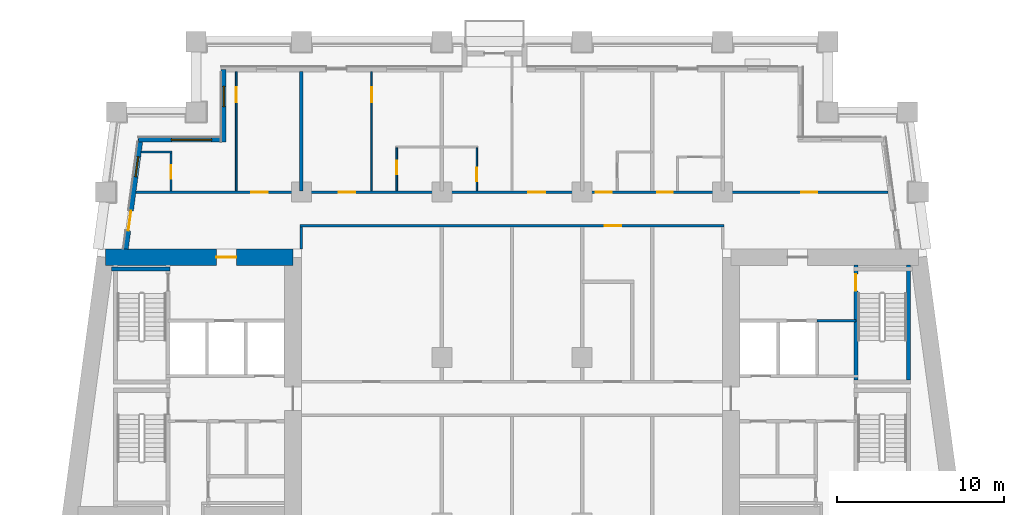
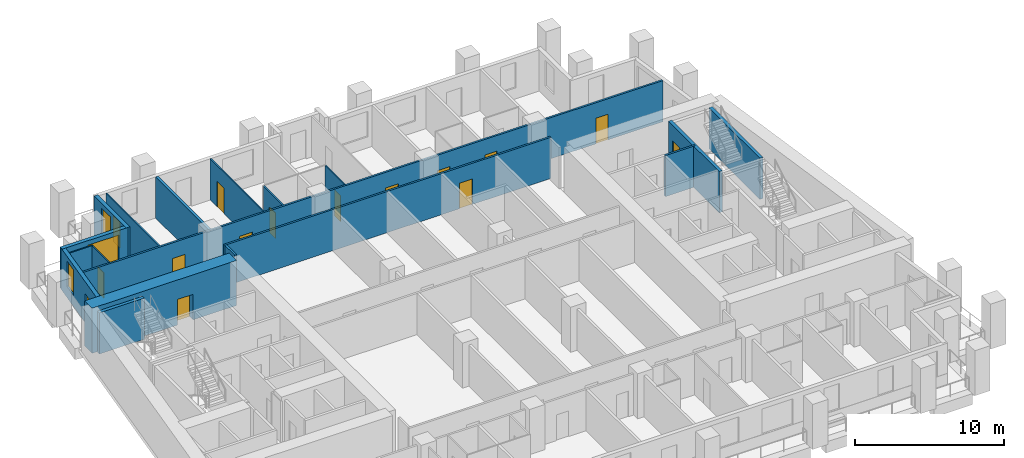
# One storey, part 6 of 13: 18 walls, 15 doors, 3 windows, 18 openings.
"""IFC4 building model written with IfcOpenShell, lengths in metres."""

from ifc_helpers import new_model, si_unit, direction, frame, frame_2d, origin, place, context, subcontext, project, spatial, rectangle, extrude, material, layer, layer_set, type_object, element, fill, save


model = new_model("IFC4")

# Units and contexts
model_context = context("Model", 3, precision=1e-05, world=origin(), true_north=direction((0.0, 1.0)))
body_context = subcontext(model_context, "Body", "Model", "MODEL_VIEW")
ifc_project = project(units=[si_unit("LENGTHUNIT", "METRE"), si_unit("AREAUNIT", "SQUARE_METRE"), si_unit("VOLUMEUNIT", "CUBIC_METRE"), si_unit("PLANEANGLEUNIT", "RADIAN"), si_unit("MASSUNIT", "GRAM", prefix="KILO")], contexts=[model_context])

# Site, building, storey
site_placement = place(None, origin())
site = spatial("IfcSite", under=ifc_project, at=site_placement, CompositionType="ELEMENT")
building_placement = place(site_placement, origin())
building = spatial("IfcBuilding", under=site, at=building_placement, Name="Candeia Pilgrim Tower and Theatre", CompositionType="ELEMENT")
storey_placement = place(building_placement, frame((0.0, 0.0, 113.199951171875)))
storey = spatial("IfcBuildingStorey", under=building, at=storey_placement, Name="L26", CompositionType="ELEMENT", Elevation=113.199951171875)

# Wall, opening, door
ifc_material_1 = material(Name="Concrete C70/85", Category="concrete")
ifc_layer_1 = layer(ifc_material_1, 1.0)
ifc_layer_set_1 = layer_set([ifc_layer_1], Name="Core wall 1000 C70/85")
wall_type_1 = type_object("IfcWallType", Name="Core wall 1000 C70/85", PredefinedType="SHEAR", material=ifc_layer_set_1)
wall_1_placement = place(storey_placement, frame((89.06787109375, 131.89990234375, 0.0), z_axis=(0.0, 0.0, 1.0), x_axis=(1.0, 0.0, 0.0)))
wall_1 = element("IfcWall", 1, at=wall_1_placement, inside=storey, type_object=wall_type_1, Name="Core wall W1", PredefinedType="SHEAR", context=body_context, shape_type="SweptSolid", body=[
    extrude(rectangle(XDim=11.232177734375, YDim=1.0, at=frame_2d((5.6162109375, 0.0))), origin(), (0.0, 0.0, 1.0), 3.699951171875),
])
opening_1_placement = place(wall_1_placement, frame((6.6455078125, 0.0, 0.0)))
opening_1 = element("IfcOpeningElement", 2, at=opening_1_placement, cuts=wall_1, Name="Opening L26-D060", PredefinedType="OPENING", context=body_context, shape_type="SweptSolid", body=[
    extrude(rectangle(XDim=1.199951171875, YDim=2.10009765625, at=frame_2d((0.60009765625, 1.050048828125))), frame((0.0, 0.510009765625, 0.0), z_axis=(0.0, -1.0, 0.0), x_axis=(1.0, 0.0, 0.0)), (0.0, 0.0, 1.0), 1.02001953125),
])
ifc_material_2 = material(Name="Steel fire door set", Category="steel")
door_type_1 = type_object("IfcDoorType", Name="D-1200-FD60", OperationType="NOTDEFINED", PredefinedType="DOOR", material=ifc_material_2)
door_1_placement = place(opening_1_placement, origin())
door_1 = element("IfcDoor", 3, at=door_1_placement, inside=storey, type_object=door_type_1, Name="Door L26-D060", OperationType="SINGLE_SWING_RIGHT", OverallHeight=2.10009765625, OverallWidth=1.199951171875, PredefinedType="DOOR", context=body_context, shape_type="SweptSolid", body=[
    extrude(rectangle(XDim=1.199951171875, YDim=2.10009765625, at=frame_2d((0.60009765625, 1.050048828125))), frame((0.0, 0.02490234375, 0.0), z_axis=(0.0, -1.0, 0.0), x_axis=(1.0, 0.0, 0.0)), (0.0, 0.0, 1.0), 0.050048828125),
])
fill(opening_1, door_1)

# Wall, opening, window
ifc_material_3 = material(Name="Ceramic block masonry", Category="masonry")
ifc_layer_2 = layer(ifc_material_3, 0.300048828125)
ifc_layer_set_2 = layer_set([ifc_layer_2], Name="EW1 glazing-line wall 300")
wall_type_2 = type_object("IfcWallType", Name="EW1 glazing-line wall 300", PredefinedType="SOLIDWALL", material=ifc_layer_set_2)
wall_2_placement = place(storey_placement, frame((96.14990234375, 143.14990234375, 0.0), z_axis=(0.0, 0.0, 1.0), x_axis=(0.0, -1.0, 0.0)))
wall_2 = element("IfcWall", 4, at=wall_2_placement, inside=storey, type_object=wall_type_2, Name="External wall L26-7.0", PredefinedType="SOLIDWALL", context=body_context, shape_type="SweptSolid", body=[
    extrude(rectangle(XDim=4.349853515625, YDim=0.300048828125, at=frame_2d((2.1748046875, 0.0))), origin(), (0.0, 0.0, 1.0), 3.380126953125),
])
opening_2_placement = place(wall_2_placement, frame((1.02490234375, 0.0, 0.89990234375)))
opening_2 = element("IfcOpeningElement", 5, at=opening_2_placement, cuts=wall_2, Name="Opening W-B", PredefinedType="OPENING", context=body_context, shape_type="SweptSolid", body=[
    extrude(rectangle(XDim=1.199951171875, YDim=2.10009765625, at=frame_2d((0.60009765625, 1.050048828125))), frame((0.0, 0.16015625, 0.0), z_axis=(0.0, -1.0, 0.0), x_axis=(1.0, 0.0, 0.0)), (0.0, 0.0, 1.0), 0.320068359375),
])
ifc_material_4 = material(Name="Aluminium framed double glazing", Category="aluminium")
window_type_1 = type_object("IfcWindowType", Name="W-B window 1200x2100", PartitioningType="SINGLE_PANEL", PredefinedType="WINDOW", material=ifc_material_4)
window_1_placement = place(opening_2_placement, origin())
window_1 = element("IfcWindow", 6, at=window_1_placement, inside=storey, type_object=window_type_1, Name="Window W-B L26", OverallHeight=2.10009765625, OverallWidth=1.199951171875, PartitioningType="SINGLE_PANEL", PredefinedType="WINDOW", context=body_context, shape_type="SweptSolid", body=[
    extrude(rectangle(XDim=1.199951171875, YDim=2.10009765625, at=frame_2d((0.60009765625, 1.050048828125))), frame((0.0, 0.030029296875, 0.0), z_axis=(0.0, -1.0, 0.0), x_axis=(1.0, 0.0, 0.0)), (0.0, 0.0, 1.0), 0.06005859375),
])
fill(opening_2, window_1)

wall_3_placement = place(storey_placement, frame((96.14990234375, 138.949951171875, 0.0), z_axis=(0.0, 0.0, 1.0), x_axis=(-1.0, 0.0, 0.0)))
wall_3 = element("IfcWall", 7, at=wall_3_placement, inside=storey, type_object=wall_type_2, Name="External wall L26-8.0", PredefinedType="SOLIDWALL", context=body_context, shape_type="SweptSolid", body=[
    extrude(rectangle(XDim=5.103759765625, YDim=0.300048828125, at=frame_2d((2.5517578125, 0.0))), origin(), (0.0, 0.0, 1.0), 3.380126953125),
])
opening_3_placement = place(wall_3_placement, frame((0.72509765625, 0.0, 0.89990234375)))
opening_3 = element("IfcOpeningElement", 8, at=opening_3_placement, cuts=wall_3, Name="Opening W-A", PredefinedType="OPENING", context=body_context, shape_type="SweptSolid", body=[
    extrude(rectangle(XDim=2.39990234375, YDim=2.10009765625, at=frame_2d((1.199951171875, 1.050048828125))), frame((0.0, 0.16015625, 0.0), z_axis=(0.0, -1.0, 0.0), x_axis=(1.0, 0.0, 0.0)), (0.0, 0.0, 1.0), 0.320068359375),
])
window_type_2 = type_object("IfcWindowType", Name="W-A window 2400x2100", PartitioningType="DOUBLE_PANEL_VERTICAL", PredefinedType="WINDOW", material=ifc_material_4)
window_2_placement = place(opening_3_placement, origin())
window_2 = element("IfcWindow", 9, at=window_2_placement, inside=storey, type_object=window_type_2, Name="Window W-A L26", OverallHeight=2.10009765625, OverallWidth=2.39990234375, PartitioningType="SINGLE_PANEL", PredefinedType="WINDOW", context=body_context, shape_type="SweptSolid", body=[
    extrude(rectangle(XDim=2.39990234375, YDim=2.10009765625, at=frame_2d((1.199951171875, 1.050048828125))), frame((0.0, 0.030029296875, 0.0), z_axis=(0.0, -1.0, 0.0), x_axis=(1.0, 0.0, 0.0)), (0.0, 0.0, 1.0), 0.06005859375),
])
fill(opening_3, window_2)

# Wall, openings, door, window
wall_4_placement = place(storey_placement, frame((91.177490234375, 138.949951171875, 0.0), z_axis=(0.0, 0.0, 1.0), x_axis=(-0.133426664613, -0.991058689065, 0.0)))
wall_4 = element("IfcWall", 10, at=wall_4_placement, inside=storey, type_object=wall_type_2, Name="External wall L26-9.0", PredefinedType="SOLIDWALL", context=body_context, shape_type="SweptSolid", body=[
    extrude(rectangle(XDim=6.609130859375, YDim=0.300048828125, at=frame_2d((3.3046875, 0.0))), origin(), (0.0, 0.0, 1.0), 3.380126953125),
])
opening_4_placement = place(wall_4_placement, frame((1.039306640625, 0.0, 0.89990234375)))
opening_4 = element("IfcOpeningElement", 11, at=opening_4_placement, cuts=wall_4, Name="Opening W-B", PredefinedType="OPENING", context=body_context, shape_type="SweptSolid", body=[
    extrude(rectangle(XDim=1.199951171875, YDim=2.10009765625, at=frame_2d((0.60009765625, 1.050048828125))), frame((0.0, 0.16015625, 0.0), z_axis=(0.0, -1.0, 0.0), x_axis=(1.0, 0.0, 0.0)), (0.0, 0.0, 1.0), 0.320068359375),
])
opening_5_placement = place(wall_4_placement, frame((4.293701171875, 0.0, 0.0)))
opening_5 = element("IfcOpeningElement", 12, at=opening_5_placement, cuts=wall_4, Name="Opening L26-ED269", PredefinedType="OPENING", context=body_context, shape_type="SweptSolid", body=[
    extrude(rectangle(XDim=1.199951171875, YDim=2.39990234375, at=frame_2d((0.60009765625, 1.199951171875))), frame((0.0, 0.16015625, 0.0), z_axis=(0.0, -1.0, 0.0), x_axis=(1.0, 0.0, 0.0)), (0.0, 0.0, 1.0), 0.320068359375),
])
ifc_material_5 = material(Name="Aluminium framed glazed door", Category="aluminium")
door_type_2 = type_object("IfcDoorType", Name="Loggia door 1200x2400", OperationType="DOUBLE_DOOR_SINGLE_SWING", PredefinedType="DOOR", material=ifc_material_5)
door_2_placement = place(opening_5_placement, origin())
door_2 = element("IfcDoor", 13, at=door_2_placement, inside=storey, type_object=door_type_2, Name="Loggia door L26-ED269", OperationType="DOUBLE_DOOR_SINGLE_SWING", OverallHeight=2.39990234375, OverallWidth=1.199951171875, PredefinedType="DOOR", context=body_context, shape_type="SweptSolid", body=[
    extrude(rectangle(XDim=1.199951171875, YDim=2.39990234375, at=frame_2d((0.60009765625, 1.199951171875))), frame((0.0, 0.02490234375, 0.0), z_axis=(0.0, -1.0, 0.0), x_axis=(1.0, 0.0, 0.0)), (0.0, 0.0, 1.0), 0.050048828125),
])
fill(opening_5, door_2)
window_3_placement = place(opening_4_placement, origin())
window_3 = element("IfcWindow", 14, at=window_3_placement, inside=storey, type_object=window_type_1, Name="Window W-B L26", OverallHeight=2.10009765625, OverallWidth=1.199951171875, PartitioningType="SINGLE_PANEL", PredefinedType="WINDOW", context=body_context, shape_type="SweptSolid", body=[
    extrude(rectangle(XDim=1.199951171875, YDim=2.10009765625, at=frame_2d((0.60009765625, 1.050048828125))), frame((0.0, 0.030029296875, 0.0), z_axis=(0.0, -1.0, 0.0), x_axis=(1.0, 0.0, 0.0)), (0.0, 0.0, 1.0), 0.06005859375),
])
fill(opening_4, window_3)

# Wall
ifc_material_6 = material(Name="Gypsum board partition on steel studs", Category="steel")
ifc_layer_3 = layer(ifc_material_6, 0.10009765625)
ifc_layer_set_3 = layer_set([ifc_layer_3], Name="PW-100 room partition")
wall_type_3 = type_object("IfcWallType", Name="PW-100 room partition", PredefinedType="PARTITIONING", material=ifc_layer_set_3)
wall_5_placement = place(storey_placement, frame((91.2177734375, 138.199951171875, 0.0), z_axis=(0.0, 0.0, 1.0), x_axis=(1.0, 0.0, 0.0)))
element("IfcWall", 15, at=wall_5_placement, inside=storey, type_object=wall_type_3, Name="Room partition L26-043", PredefinedType="PARTITIONING", context=body_context, shape_type="SweptSolid", body=[
    extrude(rectangle(XDim=1.832275390625, YDim=0.10009765625, at=frame_2d((0.916015625, 0.0))), origin(), (0.0, 0.0, 1.0), 3.380126953125),
])

# Wall, opening, door
wall_6_placement = place(storey_placement, frame((93.0, 135.875, 0.0), z_axis=(0.0, 0.0, 1.0), x_axis=(0.0, 1.0, 0.0)))
wall_6 = element("IfcWall", 16, at=wall_6_placement, inside=storey, type_object=wall_type_3, Name="Room partition L26-058", PredefinedType="PARTITIONING", context=body_context, shape_type="SweptSolid", body=[
    extrude(rectangle(XDim=2.27490234375, YDim=0.10009765625, at=frame_2d((1.137451171875, 0.0))), origin(), (0.0, 0.0, 1.0), 3.380126953125),
])
opening_6_placement = place(wall_6_placement, frame((0.72509765625, 0.0, 0.0)))
opening_6 = element("IfcOpeningElement", 17, at=opening_6_placement, cuts=wall_6, Name="Opening L26-D036", PredefinedType="OPENING", context=body_context, shape_type="SweptSolid", body=[
    extrude(rectangle(XDim=0.800048828125, YDim=2.10009765625, at=frame_2d((0.39990234375, 1.050048828125))), frame((0.0, 0.06005859375, 0.0), z_axis=(0.0, -1.0, 0.0), x_axis=(1.0, 0.0, 0.0)), (0.0, 0.0, 1.0), 0.1201171875),
])
ifc_material_7 = material(Name="Timber door leaf", Category="wood")
door_type_3 = type_object("IfcDoorType", Name="D-800", OperationType="NOTDEFINED", PredefinedType="DOOR", material=ifc_material_7)
door_3_placement = place(opening_6_placement, origin())
door_3 = element("IfcDoor", 18, at=door_3_placement, inside=storey, type_object=door_type_3, Name="Door L26-D036", OperationType="SINGLE_SWING_RIGHT", OverallHeight=2.10009765625, OverallWidth=0.800048828125, PredefinedType="DOOR", context=body_context, shape_type="SweptSolid", body=[
    extrude(rectangle(XDim=0.800048828125, YDim=2.10009765625, at=frame_2d((0.39990234375, 1.050048828125))), frame((0.0, 0.02490234375, 0.0), z_axis=(0.0, -1.0, 0.0), x_axis=(1.0, 0.0, 0.0)), (0.0, 0.0, 1.0), 0.050048828125),
])
fill(opening_6, door_3)

wall_7_placement = place(storey_placement, frame((96.89990234375, 135.875, 0.0), z_axis=(0.0, 0.0, 1.0), x_axis=(0.0, 1.0, 0.0)))
wall_7 = element("IfcWall", 19, at=wall_7_placement, inside=storey, type_object=wall_type_3, Name="Room partition L26-063", PredefinedType="PARTITIONING", context=body_context, shape_type="SweptSolid", body=[
    extrude(rectangle(XDim=7.135009765625, YDim=0.10009765625, at=frame_2d((3.5673828125, 0.0))), origin(), (0.0, 0.0, 1.0), 3.380126953125),
])
opening_7_placement = place(wall_7_placement, frame((5.2900390625, 0.0, 0.0)))
opening_7 = element("IfcOpeningElement", 20, at=opening_7_placement, cuts=wall_7, Name="Opening L26-D035", PredefinedType="OPENING", context=body_context, shape_type="SweptSolid", body=[
    extrude(rectangle(XDim=0.89990234375, YDim=2.10009765625, at=frame_2d((0.449951171875, 1.050048828125))), frame((0.0, 0.06005859375, 0.0), z_axis=(0.0, -1.0, 0.0), x_axis=(1.0, 0.0, 0.0)), (0.0, 0.0, 1.0), 0.1201171875),
])
door_type_4 = type_object("IfcDoorType", Name="D-900", OperationType="NOTDEFINED", PredefinedType="DOOR", material=ifc_material_7)
door_4_placement = place(opening_7_placement, origin())
door_4 = element("IfcDoor", 21, at=door_4_placement, inside=storey, type_object=door_type_4, Name="Door L26-D035", OperationType="SINGLE_SWING_LEFT", OverallHeight=2.10009765625, OverallWidth=0.89990234375, PredefinedType="DOOR", context=body_context, shape_type="SweptSolid", body=[
    extrude(rectangle(XDim=0.89990234375, YDim=2.10009765625, at=frame_2d((0.449951171875, 1.050048828125))), frame((0.0, 0.02490234375, 0.0), z_axis=(0.0, -1.0, 0.0), x_axis=(1.0, 0.0, 0.0)), (0.0, 0.0, 1.0), 0.050048828125),
])
fill(opening_7, door_4)

wall_8_placement = place(storey_placement, frame((105.0, 135.875, 0.0), z_axis=(0.0, 0.0, 1.0), x_axis=(0.0, 1.0, 0.0)))
wall_8 = element("IfcWall", 22, at=wall_8_placement, inside=storey, type_object=wall_type_3, Name="Room partition L26-072", PredefinedType="PARTITIONING", context=body_context, shape_type="SweptSolid", body=[
    extrude(rectangle(XDim=7.135009765625, YDim=0.10009765625, at=frame_2d((3.5673828125, 0.0))), origin(), (0.0, 0.0, 1.0), 3.380126953125),
])
opening_8_placement = place(wall_8_placement, frame((5.2900390625, 0.0, 0.0)))
opening_8 = element("IfcOpeningElement", 23, at=opening_8_placement, cuts=wall_8, Name="Opening L26-D038", PredefinedType="OPENING", context=body_context, shape_type="SweptSolid", body=[
    extrude(rectangle(XDim=0.89990234375, YDim=2.10009765625, at=frame_2d((0.449951171875, 1.050048828125))), frame((0.0, 0.06005859375, 0.0), z_axis=(0.0, -1.0, 0.0), x_axis=(1.0, 0.0, 0.0)), (0.0, 0.0, 1.0), 0.1201171875),
])
door_5_placement = place(opening_8_placement, origin())
door_5 = element("IfcDoor", 24, at=door_5_placement, inside=storey, type_object=door_type_4, Name="Door L26-D038", OperationType="SINGLE_SWING_RIGHT", OverallHeight=2.10009765625, OverallWidth=0.89990234375, PredefinedType="DOOR", context=body_context, shape_type="SweptSolid", body=[
    extrude(rectangle(XDim=0.89990234375, YDim=2.10009765625, at=frame_2d((0.449951171875, 1.050048828125))), frame((0.0, 0.02490234375, 0.0), z_axis=(0.0, -1.0, 0.0), x_axis=(1.0, 0.0, 0.0)), (0.0, 0.0, 1.0), 0.050048828125),
])
fill(opening_8, door_5)

wall_9_placement = place(storey_placement, frame((106.5, 135.875, 0.0), z_axis=(0.0, 0.0, 1.0), x_axis=(0.0, 1.0, 0.0)))
wall_9 = element("IfcWall", 25, at=wall_9_placement, inside=storey, type_object=wall_type_3, Name="Room partition L26-074", PredefinedType="PARTITIONING", context=body_context, shape_type="SweptSolid", body=[
    extrude(rectangle(XDim=2.574951171875, YDim=0.10009765625, at=frame_2d((1.28759765625, 0.0))), origin(), (0.0, 0.0, 1.0), 3.380126953125),
])
opening_9_placement = place(wall_9_placement, frame((0.9951171875, 0.0, 0.0)))
opening_9 = element("IfcOpeningElement", 26, at=opening_9_placement, cuts=wall_9, Name="Opening L26-D039", PredefinedType="OPENING", context=body_context, shape_type="SweptSolid", body=[
    extrude(rectangle(XDim=0.800048828125, YDim=2.10009765625, at=frame_2d((0.39990234375, 1.050048828125))), frame((0.0, 0.06005859375, 0.0), z_axis=(0.0, -1.0, 0.0), x_axis=(1.0, 0.0, 0.0)), (0.0, 0.0, 1.0), 0.1201171875),
])
door_6_placement = place(opening_9_placement, origin())
door_6 = element("IfcDoor", 27, at=door_6_placement, inside=storey, type_object=door_type_3, Name="Door L26-D039", OperationType="SINGLE_SWING_LEFT", OverallHeight=2.10009765625, OverallWidth=0.800048828125, PredefinedType="DOOR", context=body_context, shape_type="SweptSolid", body=[
    extrude(rectangle(XDim=0.800048828125, YDim=2.10009765625, at=frame_2d((0.39990234375, 1.050048828125))), frame((0.0, 0.02490234375, 0.0), z_axis=(0.0, -1.0, 0.0), x_axis=(1.0, 0.0, 0.0)), (0.0, 0.0, 1.0), 0.050048828125),
])
fill(opening_9, door_6)

wall_10_placement = place(storey_placement, frame((111.300048828125, 135.875, 0.0), z_axis=(0.0, 0.0, 1.0), x_axis=(0.0, 1.0, 0.0)))
wall_10 = element("IfcWall", 28, at=wall_10_placement, inside=storey, type_object=wall_type_3, Name="Room partition L26-079", PredefinedType="PARTITIONING", context=body_context, shape_type="SweptSolid", body=[
    extrude(rectangle(XDim=2.574951171875, YDim=0.10009765625, at=frame_2d((1.28759765625, 0.0))), origin(), (0.0, 0.0, 1.0), 3.380126953125),
])
opening_10_placement = place(wall_10_placement, frame((0.574951171875, 0.0, 0.0)))
opening_10 = element("IfcOpeningElement", 29, at=opening_10_placement, cuts=wall_10, Name="Opening L26-D042", PredefinedType="OPENING", context=body_context, shape_type="SweptSolid", body=[
    extrude(rectangle(XDim=0.800048828125, YDim=2.10009765625, at=frame_2d((0.39990234375, 1.050048828125))), frame((0.0, 0.06005859375, 0.0), z_axis=(0.0, -1.0, 0.0), x_axis=(1.0, 0.0, 0.0)), (0.0, 0.0, 1.0), 0.1201171875),
])
door_7_placement = place(opening_10_placement, origin())
door_7 = element("IfcDoor", 30, at=door_7_placement, inside=storey, type_object=door_type_3, Name="Door L26-D042", OperationType="SINGLE_SWING_RIGHT", OverallHeight=2.10009765625, OverallWidth=0.800048828125, PredefinedType="DOOR", context=body_context, shape_type="SweptSolid", body=[
    extrude(rectangle(XDim=0.800048828125, YDim=2.10009765625, at=frame_2d((0.39990234375, 1.050048828125))), frame((0.0, 0.02490234375, 0.0), z_axis=(0.0, -1.0, 0.0), x_axis=(1.0, 0.0, 0.0)), (0.0, 0.0, 1.0), 0.050048828125),
])
fill(opening_10, door_7)

# Wall
ifc_layer_4 = layer(ifc_material_6, 0.14990234375)
ifc_layer_set_4 = layer_set([ifc_layer_4], Name="PW-150 lobby wall")
wall_type_4 = type_object("IfcWallType", Name="PW-150 lobby wall", PredefinedType="PARTITIONING", material=ifc_layer_set_4)
wall_11_placement = place(storey_placement, frame((131.648681640625, 128.10009765625, 0.0), z_axis=(0.0, 0.0, 1.0), x_axis=(1.0, 0.0, 0.0)))
element("IfcWall", 31, at=wall_11_placement, inside=storey, type_object=wall_type_4, Name="Lobby wall L26-036", PredefinedType="PARTITIONING", context=body_context, shape_type="SweptSolid", body=[
    extrude(rectangle(XDim=2.32421875, YDim=0.14990234375, at=frame_2d((1.162109375, 0.0))), origin(), (0.0, 0.0, 1.0), 3.380126953125),
])

# Wall, opening, door
ifc_layer_5 = layer(ifc_material_6, 0.14990234375)
ifc_layer_set_5 = layer_set([ifc_layer_5], Name="PW-150 unit wall")
wall_type_5 = type_object("IfcWallType", Name="PW-150 unit wall", PredefinedType="PARTITIONING", material=ifc_layer_set_5)
wall_12_placement = place(storey_placement, frame((100.72509765625, 133.800048828125, 0.0), z_axis=(0.0, 0.0, 1.0), x_axis=(1.0, 0.0, 0.0)))
wall_12 = element("IfcWall", 32, at=wall_12_placement, inside=storey, type_object=wall_type_5, Name="Unit wall L26-040", PredefinedType="PARTITIONING", context=body_context, shape_type="SweptSolid", body=[
    extrude(rectangle(XDim=25.349853515625, YDim=0.14990234375, at=frame_2d((12.6748046875, 0.0))), origin(), (0.0, 0.0, 1.0), 3.380126953125),
])
opening_11_placement = place(wall_12_placement, frame((18.22509765625, 0.0, 0.0)))
opening_11 = element("IfcOpeningElement", 33, at=opening_11_placement, cuts=wall_12, Name="Opening L26-D048", PredefinedType="OPENING", context=body_context, shape_type="SweptSolid", body=[
    extrude(rectangle(XDim=1.0, YDim=2.10009765625, at=frame_2d((0.5, 1.050048828125))), frame((0.0, 0.0849609375, 0.0), z_axis=(0.0, -1.0, 0.0), x_axis=(1.0, 0.0, 0.0)), (0.0, 0.0, 1.0), 0.169921875),
])
door_type_5 = type_object("IfcDoorType", Name="D-1000-FD30S", OperationType="NOTDEFINED", PredefinedType="DOOR", material=ifc_material_2)
door_8_placement = place(opening_11_placement, origin())
door_8 = element("IfcDoor", 34, at=door_8_placement, inside=storey, type_object=door_type_5, Name="Door L26-D048", OperationType="SINGLE_SWING_RIGHT", OverallHeight=2.10009765625, OverallWidth=1.0, PredefinedType="DOOR", context=body_context, shape_type="SweptSolid", body=[
    extrude(rectangle(XDim=1.0, YDim=2.10009765625, at=frame_2d((0.5, 1.050048828125))), frame((0.0, 0.02490234375, 0.0), z_axis=(0.0, -1.0, 0.0), x_axis=(1.0, 0.0, 0.0)), (0.0, 0.0, 1.0), 0.050048828125),
])
fill(opening_11, door_8)

# Wall, openings, doors
wall_13_placement = place(storey_placement, frame((90.89453125, 135.800048828125, 0.0), z_axis=(0.0, 0.0, 1.0), x_axis=(1.0, 0.0, 0.0)))
wall_13 = element("IfcWall", 35, at=wall_13_placement, inside=storey, type_object=wall_type_5, Name="Unit wall L26-041", PredefinedType="PARTITIONING", context=body_context, shape_type="SweptSolid", body=[
    extrude(rectangle(XDim=45.010986328125, YDim=0.14990234375, at=frame_2d((22.50537109375, 0.0))), origin(), (0.0, 0.0, 1.0), 3.380126953125),
])
opening_12_placement = place(wall_13_placement, frame((6.905517578125, 0.0, 0.0)))
opening_12 = element("IfcOpeningElement", 36, at=opening_12_placement, cuts=wall_13, Name="Opening L26-D034", PredefinedType="OPENING", context=body_context, shape_type="SweptSolid", body=[
    extrude(rectangle(XDim=1.0, YDim=2.10009765625, at=frame_2d((0.5, 1.050048828125))), frame((0.0, 0.0849609375, 0.0), z_axis=(0.0, -1.0, 0.0), x_axis=(1.0, 0.0, 0.0)), (0.0, 0.0, 1.0), 0.169921875),
])
opening_13_placement = place(wall_13_placement, frame((12.13037109375, 0.0, 0.0)))
opening_13 = element("IfcOpeningElement", 37, at=opening_13_placement, cuts=wall_13, Name="Opening L26-D037", PredefinedType="OPENING", context=body_context, shape_type="SweptSolid", body=[
    extrude(rectangle(XDim=1.0, YDim=2.10009765625, at=frame_2d((0.5, 1.050048828125))), frame((0.0, 0.0849609375, 0.0), z_axis=(0.0, -1.0, 0.0), x_axis=(1.0, 0.0, 0.0)), (0.0, 0.0, 1.0), 0.169921875),
])
opening_14_placement = place(wall_13_placement, frame((23.48046875, 0.0, 0.0)))
opening_14 = element("IfcOpeningElement", 38, at=opening_14_placement, cuts=wall_13, Name="Opening L26-D040", PredefinedType="OPENING", context=body_context, shape_type="SweptSolid", body=[
    extrude(rectangle(XDim=1.0, YDim=2.10009765625, at=frame_2d((0.5, 1.050048828125))), frame((0.0, 0.0849609375, 0.0), z_axis=(0.0, -1.0, 0.0), x_axis=(1.0, 0.0, 0.0)), (0.0, 0.0, 1.0), 0.169921875),
])
opening_15_placement = place(wall_13_placement, frame((27.515380859375, 0.0, 0.0)))
opening_15 = element("IfcOpeningElement", 39, at=opening_15_placement, cuts=wall_13, Name="Opening L26-D043", PredefinedType="OPENING", context=body_context, shape_type="SweptSolid", body=[
    extrude(rectangle(XDim=0.949951171875, YDim=2.10009765625, at=frame_2d((0.47509765625, 1.050048828125))), frame((0.0, 0.0849609375, 0.0), z_axis=(0.0, -1.0, 0.0), x_axis=(1.0, 0.0, 0.0)), (0.0, 0.0, 1.0), 0.169921875),
])
opening_16_placement = place(wall_13_placement, frame((31.180419921875, 0.0, 0.0)))
opening_16 = element("IfcOpeningElement", 40, at=opening_16_placement, cuts=wall_13, Name="Opening L26-D045", PredefinedType="OPENING", context=body_context, shape_type="SweptSolid", body=[
    extrude(rectangle(XDim=0.949951171875, YDim=2.10009765625, at=frame_2d((0.47509765625, 1.050048828125))), frame((0.0, 0.0849609375, 0.0), z_axis=(0.0, -1.0, 0.0), x_axis=(1.0, 0.0, 0.0)), (0.0, 0.0, 1.0), 0.169921875),
])
opening_17_placement = place(wall_13_placement, frame((39.814453125, 0.0, 0.0)))
opening_17 = element("IfcOpeningElement", 41, at=opening_17_placement, cuts=wall_13, Name="Opening L26-D047", PredefinedType="OPENING", context=body_context, shape_type="SweptSolid", body=[
    extrude(rectangle(XDim=0.949951171875, YDim=2.10009765625, at=frame_2d((0.47509765625, 1.050048828125))), frame((0.0, 0.0849609375, 0.0), z_axis=(0.0, -1.0, 0.0), x_axis=(1.0, 0.0, 0.0)), (0.0, 0.0, 1.0), 0.169921875),
])
door_9_placement = place(opening_12_placement, origin())
door_9 = element("IfcDoor", 42, at=door_9_placement, inside=storey, type_object=door_type_5, Name="Door L26-D034", OperationType="SINGLE_SWING_RIGHT", OverallHeight=2.10009765625, OverallWidth=1.0, PredefinedType="DOOR", context=body_context, shape_type="SweptSolid", body=[
    extrude(rectangle(XDim=1.0, YDim=2.10009765625, at=frame_2d((0.5, 1.050048828125))), frame((0.0, 0.02490234375, 0.0), z_axis=(0.0, -1.0, 0.0), x_axis=(1.0, 0.0, 0.0)), (0.0, 0.0, 1.0), 0.050048828125),
])
fill(opening_12, door_9)
door_10_placement = place(opening_13_placement, origin())
door_10 = element("IfcDoor", 43, at=door_10_placement, inside=storey, type_object=door_type_5, Name="Door L26-D037", OperationType="SINGLE_SWING_LEFT", OverallHeight=2.10009765625, OverallWidth=1.0, PredefinedType="DOOR", context=body_context, shape_type="SweptSolid", body=[
    extrude(rectangle(XDim=1.0, YDim=2.10009765625, at=frame_2d((0.5, 1.050048828125))), frame((0.0, 0.02490234375, 0.0), z_axis=(0.0, -1.0, 0.0), x_axis=(1.0, 0.0, 0.0)), (0.0, 0.0, 1.0), 0.050048828125),
])
fill(opening_13, door_10)
door_11_placement = place(opening_14_placement, origin())
door_11 = element("IfcDoor", 44, at=door_11_placement, inside=storey, type_object=door_type_5, Name="Door L26-D040", OperationType="SINGLE_SWING_RIGHT", OverallHeight=2.10009765625, OverallWidth=1.0, PredefinedType="DOOR", context=body_context, shape_type="SweptSolid", body=[
    extrude(rectangle(XDim=1.0, YDim=2.10009765625, at=frame_2d((0.5, 1.050048828125))), frame((0.0, 0.02490234375, 0.0), z_axis=(0.0, -1.0, 0.0), x_axis=(1.0, 0.0, 0.0)), (0.0, 0.0, 1.0), 0.050048828125),
])
fill(opening_14, door_11)
door_type_6 = type_object("IfcDoorType", Name="D-950-FD30S", OperationType="NOTDEFINED", PredefinedType="DOOR", material=ifc_material_2)
door_12_placement = place(opening_15_placement, origin())
door_12 = element("IfcDoor", 45, at=door_12_placement, inside=storey, type_object=door_type_6, Name="Door L26-D043", OperationType="SINGLE_SWING_LEFT", OverallHeight=2.10009765625, OverallWidth=0.949951171875, PredefinedType="DOOR", context=body_context, shape_type="SweptSolid", body=[
    extrude(rectangle(XDim=0.949951171875, YDim=2.10009765625, at=frame_2d((0.47509765625, 1.050048828125))), frame((0.0, 0.02490234375, 0.0), z_axis=(0.0, -1.0, 0.0), x_axis=(1.0, 0.0, 0.0)), (0.0, 0.0, 1.0), 0.050048828125),
])
fill(opening_15, door_12)
door_13_placement = place(opening_16_placement, origin())
door_13 = element("IfcDoor", 46, at=door_13_placement, inside=storey, type_object=door_type_6, Name="Door L26-D045", OperationType="SINGLE_SWING_LEFT", OverallHeight=2.10009765625, OverallWidth=0.949951171875, PredefinedType="DOOR", context=body_context, shape_type="SweptSolid", body=[
    extrude(rectangle(XDim=0.949951171875, YDim=2.10009765625, at=frame_2d((0.47509765625, 1.050048828125))), frame((0.0, 0.02490234375, 0.0), z_axis=(0.0, -1.0, 0.0), x_axis=(1.0, 0.0, 0.0)), (0.0, 0.0, 1.0), 0.050048828125),
])
fill(opening_16, door_13)
door_14_placement = place(opening_17_placement, origin())
door_14 = element("IfcDoor", 47, at=door_14_placement, inside=storey, type_object=door_type_6, Name="Door L26-D047", OperationType="SINGLE_SWING_LEFT", OverallHeight=2.10009765625, OverallWidth=0.949951171875, PredefinedType="DOOR", context=body_context, shape_type="SweptSolid", body=[
    extrude(rectangle(XDim=0.949951171875, YDim=2.10009765625, at=frame_2d((0.47509765625, 1.050048828125))), frame((0.0, 0.02490234375, 0.0), z_axis=(0.0, -1.0, 0.0), x_axis=(1.0, 0.0, 0.0)), (0.0, 0.0, 1.0), 0.050048828125),
])
fill(opening_17, door_14)

# Walls
wall_14_placement = place(storey_placement, frame((100.800048828125, 132.39990234375, 0.0), z_axis=(0.0, 0.0, 1.0), x_axis=(0.0, 1.0, 0.0)))
element("IfcWall", 48, at=wall_14_placement, inside=storey, type_object=wall_type_5, Name="Unit wall L26-070", PredefinedType="PARTITIONING", context=body_context, shape_type="SweptSolid", body=[
    extrude(rectangle(XDim=1.3251953125, YDim=0.14990234375, at=frame_2d((0.66259765625, 0.0))), origin(), (0.0, 0.0, 1.0), 3.380126953125),
])
ifc_layer_6 = layer(ifc_material_6, 0.199951171875)
ifc_layer_set_6 = layer_set([ifc_layer_6], Name="PW-200 party wall")
wall_type_6 = type_object("IfcWallType", Name="PW-200 party wall", PredefinedType="PARTITIONING", material=ifc_layer_set_6)
wall_15_placement = place(storey_placement, frame((100.800048828125, 135.875, 0.0), z_axis=(0.0, 0.0, 1.0), x_axis=(0.0, 1.0, 0.0)))
element("IfcWall", 49, at=wall_15_placement, inside=storey, type_object=wall_type_6, Name="Party wall L26-068", PredefinedType="PARTITIONING", context=body_context, shape_type="SweptSolid", body=[
    extrude(rectangle(XDim=7.135009765625, YDim=0.199951171875, at=frame_2d((3.5673828125, 0.0))), origin(), (0.0, 0.0, 1.0), 3.380126953125),
])
ifc_material_8 = material(Name="Concrete C40/50", Category="concrete")
ifc_layer_7 = layer(ifc_material_8, 0.25)
ifc_layer_set_7 = layer_set([ifc_layer_7], Name="SW-250 stair wall")
wall_type_7 = type_object("IfcWallType", Name="SW-250 stair wall", PredefinedType="PARTITIONING", material=ifc_layer_set_7)
wall_16_placement = place(storey_placement, frame((89.4482421875, 131.199951171875, 0.0), z_axis=(0.0, 0.0, 1.0), x_axis=(1.0, 0.0, 0.0)))
element("IfcWall", 50, at=wall_16_placement, inside=storey, type_object=wall_type_7, Name="Stair wall L26-038", PredefinedType="PARTITIONING", context=body_context, shape_type="SweptSolid", body=[
    extrude(rectangle(XDim=3.503662109375, YDim=0.25, at=frame_2d((1.751953125, 0.0))), origin(), (0.0, 0.0, 1.0), 3.380126953125),
])

# Wall, opening, door
wall_17_placement = place(storey_placement, frame((133.972900390625, 124.574951171875, 0.0), z_axis=(0.0, 0.0, 1.0), x_axis=(0.0, 1.0, 0.0)))
wall_17 = element("IfcWall", 51, at=wall_17_placement, inside=storey, type_object=wall_type_7, Name="Stair wall L26-114", PredefinedType="PARTITIONING", context=body_context, shape_type="SweptSolid", body=[
    extrude(rectangle(XDim=6.85498046875, YDim=0.25, at=frame_2d((3.427490234375, 0.0))), origin(), (0.0, 0.0, 1.0), 3.380126953125),
])
opening_18_placement = place(wall_17_placement, frame((5.324951171875, 0.0, 0.0)))
opening_18 = element("IfcOpeningElement", 52, at=opening_18_placement, cuts=wall_17, Name="Opening L26-D014", PredefinedType="OPENING", context=body_context, shape_type="SweptSolid", body=[
    extrude(rectangle(XDim=1.0, YDim=2.10009765625, at=frame_2d((0.5, 1.050048828125))), frame((0.0, 0.135009765625, 0.0), z_axis=(0.0, -1.0, 0.0), x_axis=(1.0, 0.0, 0.0)), (0.0, 0.0, 1.0), 0.27001953125),
])
door_type_7 = type_object("IfcDoorType", Name="D-1000-FD60", OperationType="NOTDEFINED", PredefinedType="DOOR", material=ifc_material_2)
door_15_placement = place(opening_18_placement, origin())
door_15 = element("IfcDoor", 53, at=door_15_placement, inside=storey, type_object=door_type_7, Name="Door L26-D014", OperationType="SINGLE_SWING_LEFT", OverallHeight=2.10009765625, OverallWidth=1.0, PredefinedType="DOOR", context=body_context, shape_type="SweptSolid", body=[
    extrude(rectangle(XDim=1.0, YDim=2.10009765625, at=frame_2d((0.5, 1.050048828125))), frame((0.0, 0.02490234375, 0.0), z_axis=(0.0, -1.0, 0.0), x_axis=(1.0, 0.0, 0.0)), (0.0, 0.0, 1.0), 0.050048828125),
])
fill(opening_18, door_15)

# Wall
wall_18_placement = place(storey_placement, frame((137.123046875, 124.574951171875, 0.0), z_axis=(0.0, 0.0, 1.0), x_axis=(0.0, 1.0, 0.0)))
element("IfcWall", 54, at=wall_18_placement, inside=storey, type_object=wall_type_7, Name="Stair wall L26-118", PredefinedType="PARTITIONING", context=body_context, shape_type="SweptSolid", body=[
    extrude(rectangle(XDim=6.85498046875, YDim=0.25, at=frame_2d((3.427490234375, 0.0))), origin(), (0.0, 0.0, 1.0), 3.380126953125),
])

save(model, "model.ifc")
